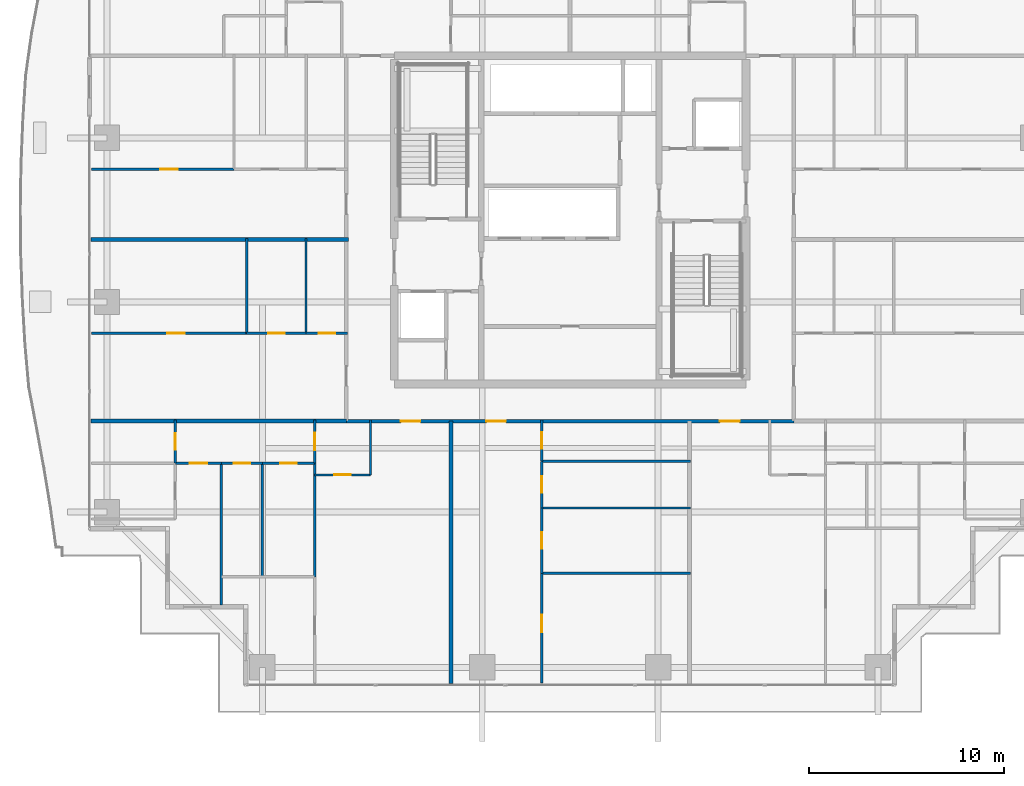
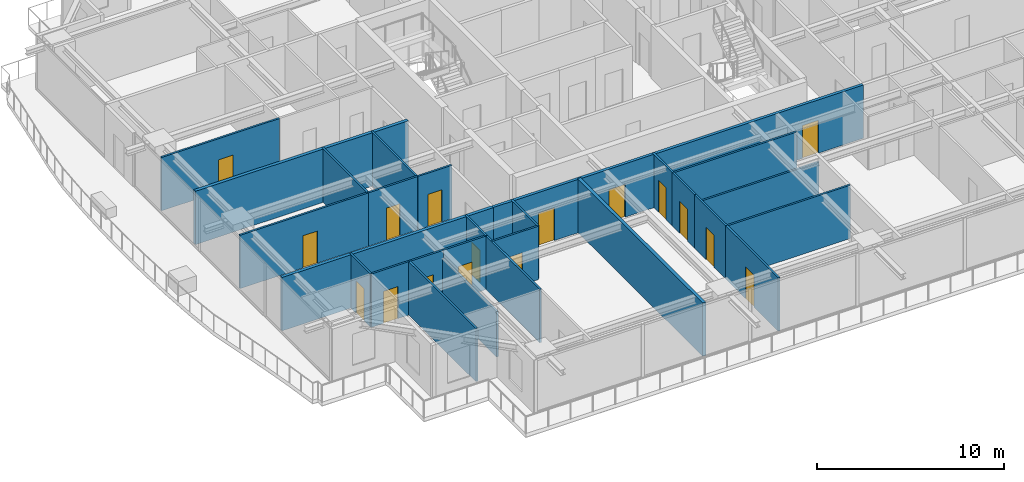
# One storey, part 26 of 37: 27 walls, 17 doors, 17 openings.
"""IFC4 building model written with IfcOpenShell, lengths in metres."""

from ifc_helpers import new_model, si_unit, direction, frame, frame_2d, origin, place, context, subcontext, project, spatial, rectangle, extrude, source, transform, mapped, material, layer, layer_set, type_object, element, fill, save


model = new_model("IFC4")

# Units and contexts
model_context = context("Model", 3, precision=1e-05, world=origin(), true_north=direction((0.0, 1.0)))
body_context = subcontext(model_context, "Body", "Model", "MODEL_VIEW")
ifc_project = project(units=[si_unit("LENGTHUNIT", "METRE"), si_unit("AREAUNIT", "SQUARE_METRE"), si_unit("VOLUMEUNIT", "CUBIC_METRE"), si_unit("PLANEANGLEUNIT", "RADIAN"), si_unit("MASSUNIT", "GRAM", prefix="KILO")], contexts=[model_context])

# Site, building, storey
site_placement = place(None, origin())
site = spatial("IfcSite", under=ifc_project, at=site_placement, CompositionType="ELEMENT")
building_placement = place(site_placement, origin())
building = spatial("IfcBuilding", under=site, at=building_placement, Name="Serunith Strait Residences", CompositionType="ELEMENT")
storey_placement = place(building_placement, frame((0.0, 0.0, 127.64990234375)))
storey = spatial("IfcBuildingStorey", under=building, at=storey_placement, Name="L31", CompositionType="ELEMENT", Elevation=127.64990234375)

# Wall, openings, doors
ifc_material_1 = material(Name="Fire-rated acoustic gypsum partition")
ifc_layer_1 = layer(ifc_material_1, 0.179931640625, Name="Fire-rated acoustic gypsum partition")
ifc_layer_set_1 = layer_set([ifc_layer_1], Name="Fire-rated acoustic gypsum partition")
wall_type_1 = type_object("IfcWallType", Name="IW-CORR-180", PredefinedType="PARTITIONING", material=ifc_layer_set_1)
wall_1_placement = place(storey_placement, frame((20.951904296875, 14.89990234375, 0.0), z_axis=(0.0, 0.0, 1.0), x_axis=(1.0, 0.0, 0.0)))
wall_1 = element("IfcWall", 1, at=wall_1_placement, inside=storey, type_object=wall_type_1, Name="L31 Partition Wall 024", PredefinedType="PARTITIONING", context=body_context, shape_type="SweptSolid", body=[
    extrude(rectangle(XDim=22.89599609375, YDim=0.179931640625, at=frame_2d((11.447998046875, 0.0))), origin(), (0.0, 0.0, 1.0), 3.489990234375),
])
opening_1_placement = place(wall_1_placement, frame((2.781005859375, 0.0, 0.0)))
opening_1 = element("IfcOpeningElement", 2, at=opening_1_placement, cuts=wall_1, Name="Opening D-APT1000", PredefinedType="OPENING", context=body_context, shape_type="SweptSolid", body=[
    extrude(rectangle(XDim=1.0, YDim=2.14990234375, at=frame_2d((0.5, 1.074951171875))), frame((0.0, 0.10009765625, 0.0), z_axis=(0.0, -1.0, 0.0), x_axis=(1.0, 0.0, 0.0)), (0.0, 0.0, 1.0), 0.199951171875),
])
opening_2_placement = place(wall_1_placement, frame((7.159912109375, 0.0, 0.0)))
opening_2 = element("IfcOpeningElement", 3, at=opening_2_placement, cuts=wall_1, Name="Opening D-APT1000", PredefinedType="OPENING", context=body_context, shape_type="SweptSolid", body=[
    extrude(rectangle(XDim=1.0, YDim=2.14990234375, at=frame_2d((0.5, 1.074951171875))), frame((0.0, 0.10009765625, 0.0), z_axis=(0.0, -1.0, 0.0), x_axis=(1.0, 0.0, 0.0)), (0.0, 0.0, 1.0), 0.199951171875),
])
opening_3_placement = place(wall_1_placement, frame((19.114990234375, 0.0, 0.0)))
opening_3 = element("IfcOpeningElement", 4, at=opening_3_placement, cuts=wall_1, Name="Opening D-APT1000", PredefinedType="OPENING", context=body_context, shape_type="SweptSolid", body=[
    extrude(rectangle(XDim=1.0, YDim=2.14990234375, at=frame_2d((0.5, 1.074951171875))), frame((0.0, 0.10009765625, 0.0), z_axis=(0.0, -1.0, 0.0), x_axis=(1.0, 0.0, 0.0)), (0.0, 0.0, 1.0), 0.199951171875),
])
ifc_material_2 = material(Name="Solid timber engineered fire door", Category="wood")
door_type_1 = type_object("IfcDoorType", Name="ID-APT-1000", OperationType="NOTDEFINED", PredefinedType="DOOR", material=ifc_material_2)
shared_shape_1 = source(origin(), body_context, "Body", "SweptSolid", [
    extrude(rectangle(XDim=1.0, YDim=2.14990234375, at=frame_2d((0.5, 1.074951171875))), frame((0.0, 0.02490234375, 0.0), z_axis=(0.0, -1.0, 0.0), x_axis=(1.0, 0.0, 0.0)), (0.0, 0.0, 1.0), 0.050048828125),
])
door_1_placement = place(opening_1_placement, origin())
door_1 = element("IfcDoor", 5, at=door_1_placement, inside=storey, type_object=door_type_1, Name="L31 Unit 01 Entrance Door", OperationType="SINGLE_SWING_RIGHT", OverallHeight=2.14990234375, OverallWidth=1.0, PredefinedType="DOOR", context=body_context, shape_type="MappedRepresentation", body=[
    mapped(shared_shape_1, transform((0.0, 0.0, 0.0), scale=1.0)),
])
fill(opening_1, door_1)
door_2_placement = place(opening_2_placement, origin())
door_2 = element("IfcDoor", 6, at=door_2_placement, inside=storey, type_object=door_type_1, Name="L31 Unit 02 Entrance Door", OperationType="SINGLE_SWING_LEFT", OverallHeight=2.14990234375, OverallWidth=1.0, PredefinedType="DOOR", context=body_context, shape_type="MappedRepresentation", body=[
    mapped(shared_shape_1, transform((0.0, 0.0, 0.0), scale=1.0)),
])
fill(opening_2, door_2)
door_3_placement = place(opening_3_placement, origin())
door_3 = element("IfcDoor", 7, at=door_3_placement, inside=storey, type_object=door_type_1, Name="L31 Unit 03 Entrance Door", OperationType="SINGLE_SWING_RIGHT", OverallHeight=2.14990234375, OverallWidth=1.0, PredefinedType="DOOR", context=body_context, shape_type="MappedRepresentation", body=[
    mapped(shared_shape_1, transform((0.0, 0.0, 0.0), scale=1.0)),
])
fill(opening_3, door_3)

# Wall, opening, door
ifc_material_3 = material(Name="Lightweight steel-stud gypsum partition", Category="steel")
ifc_layer_2 = layer(ifc_material_3, 0.1201171875, Name="Lightweight steel-stud gypsum partition")
ifc_layer_set_2 = layer_set([ifc_layer_2], Name="Lightweight steel-stud gypsum partition")
wall_type_2 = type_object("IfcWallType", Name="IW-PART-120", PredefinedType="PARTITIONING", material=ifc_layer_set_2)
wall_2_placement = place(storey_placement, frame((19.330078125, 12.14990234375, 0.0), z_axis=(0.0, 0.0, 1.0), x_axis=(1.0, 0.0, 0.0)))
wall_2 = element("IfcWall", 8, at=wall_2_placement, inside=storey, type_object=wall_type_2, Name="L31 Partition Wall 029", PredefinedType="PARTITIONING", context=body_context, shape_type="SweptSolid", body=[
    extrude(rectangle(XDim=2.849853515625, YDim=0.1201171875, at=frame_2d((1.4248046875, 0.0))), origin(), (0.0, 0.0, 1.0), 3.489990234375),
])
opening_4_placement = place(wall_2_placement, frame((1.0, 0.0, 0.0)))
opening_4 = element("IfcOpeningElement", 9, at=opening_4_placement, cuts=wall_2, Name="Opening D-RM850", PredefinedType="OPENING", context=body_context, shape_type="SweptSolid", body=[
    extrude(rectangle(XDim=0.85009765625, YDim=2.10009765625, at=frame_2d((0.425048828125, 1.050048828125))), frame((0.0, 0.070068359375, 0.0), z_axis=(0.0, -1.0, 0.0), x_axis=(1.0, 0.0, 0.0)), (0.0, 0.0, 1.0), 0.14013671875),
])
ifc_material_4 = material(Name="Engineered timber flush study and kitchen door", Category="wood")
door_type_2 = type_object("IfcDoorType", Name="ID-ROOM-850", OperationType="NOTDEFINED", PredefinedType="DOOR", material=ifc_material_4)
shared_shape_2 = source(origin(), body_context, "Body", "SweptSolid", [
    extrude(rectangle(XDim=0.85009765625, YDim=2.10009765625, at=frame_2d((0.425048828125, 1.050048828125))), frame((0.0, 0.02490234375, 0.0), z_axis=(0.0, -1.0, 0.0), x_axis=(1.0, 0.0, 0.0)), (0.0, 0.0, 1.0), 0.050048828125),
])
door_4_placement = place(opening_4_placement, origin())
door_4 = element("IfcDoor", 10, at=door_4_placement, inside=storey, type_object=door_type_2, Name="L31 Kitchen 3101 Door", OperationType="SINGLE_SWING_LEFT", OverallHeight=2.10009765625, OverallWidth=0.85009765625, PredefinedType="DOOR", context=body_context, shape_type="MappedRepresentation", body=[
    mapped(shared_shape_2, transform((0.0, 0.0, 0.0), scale=1.0)),
])
fill(opening_4, door_4)

# Wall
wall_3_placement = place(storey_placement, frame((22.179931640625, 12.14990234375, 0.0), z_axis=(0.0, 0.0, 1.0), x_axis=(0.0, 1.0, 0.0)))
element("IfcWall", 11, at=wall_3_placement, inside=storey, type_object=wall_type_2, Name="L31 Partition Wall 030", PredefinedType="PARTITIONING", context=body_context, shape_type="SweptSolid", body=[
    extrude(rectangle(XDim=2.81005859375, YDim=0.1201171875, at=frame_2d((1.405029296875, 0.0))), origin(), (0.0, 0.0, 1.0), 3.489990234375),
])

# Wall, opening, door
wall_4_placement = place(storey_placement, frame((19.330078125, 12.75, 0.0), z_axis=(0.0, 0.0, 1.0), x_axis=(0.0, 1.0, 0.0)))
wall_4 = element("IfcWall", 12, at=wall_4_placement, inside=storey, type_object=wall_type_2, Name="L31 Partition Wall 031", PredefinedType="PARTITIONING", context=body_context, shape_type="SweptSolid", body=[
    extrude(rectangle(XDim=2.2099609375, YDim=0.1201171875, at=frame_2d((1.10498046875, 0.0))), origin(), (0.0, 0.0, 1.0), 3.489990234375),
])
opening_5_placement = place(wall_4_placement, frame((0.655029296875, 0.0, 0.0)))
opening_5 = element("IfcOpeningElement", 13, at=opening_5_placement, cuts=wall_4, Name="Opening D-RM900", PredefinedType="OPENING", context=body_context, shape_type="SweptSolid", body=[
    extrude(rectangle(XDim=0.89990234375, YDim=2.10009765625, at=frame_2d((0.449951171875, 1.050048828125))), frame((0.0, 0.070068359375, 0.0), z_axis=(0.0, -1.0, 0.0), x_axis=(1.0, 0.0, 0.0)), (0.0, 0.0, 1.0), 0.14013671875),
])
ifc_material_5 = material(Name="Engineered timber flush bedroom door", Category="wood")
door_type_3 = type_object("IfcDoorType", Name="ID-ROOM-900", OperationType="NOTDEFINED", PredefinedType="DOOR", material=ifc_material_5)
shared_shape_3 = source(origin(), body_context, "Body", "SweptSolid", [
    extrude(rectangle(XDim=0.89990234375, YDim=2.10009765625, at=frame_2d((0.449951171875, 1.050048828125))), frame((0.0, 0.02490234375, 0.0), z_axis=(0.0, -1.0, 0.0), x_axis=(1.0, 0.0, 0.0)), (0.0, 0.0, 1.0), 0.050048828125),
])
door_5_placement = place(opening_5_placement, origin())
door_5 = element("IfcDoor", 14, at=door_5_placement, inside=storey, type_object=door_type_3, Name="L31 Hall W 3101 Door", OperationType="SINGLE_SWING_RIGHT", OverallHeight=2.10009765625, OverallWidth=0.89990234375, PredefinedType="DOOR", context=body_context, shape_type="MappedRepresentation", body=[
    mapped(shared_shape_3, transform((0.0, 0.0, 0.0), scale=1.0)),
])
fill(opening_5, door_5)

# Walls
wall_5_placement = place(storey_placement, frame((19.330078125, 6.93994140625, 0.0), z_axis=(0.0, 0.0, 1.0), x_axis=(0.0, 1.0, 0.0)))
element("IfcWall", 15, at=wall_5_placement, inside=storey, type_object=wall_type_2, Name="L31 Partition Wall 033", PredefinedType="PARTITIONING", context=body_context, shape_type="SweptSolid", body=[
    extrude(rectangle(XDim=5.80810546875, YDim=0.1201171875, at=frame_2d((2.904052734375, 0.0))), origin(), (0.0, 0.0, 1.0), 3.489990234375),
])
wall_6_placement = place(storey_placement, frame((14.550048828125, 5.4951171875, 0.0), z_axis=(0.0, 0.0, 1.0), x_axis=(0.0, 1.0, 0.0)))
element("IfcWall", 16, at=wall_6_placement, inside=storey, type_object=wall_type_2, Name="L31 Partition Wall 035", PredefinedType="PARTITIONING", context=body_context, shape_type="SweptSolid", body=[
    extrude(rectangle(XDim=7.2548828125, YDim=0.1201171875, at=frame_2d((3.62744140625, 0.0))), origin(), (0.0, 0.0, 1.0), 3.489990234375),
])
wall_7_placement = place(storey_placement, frame((16.64990234375, 6.93798828125, 0.0), z_axis=(0.0, 0.0, 1.0), x_axis=(0.0, 1.0, 0.0)))
element("IfcWall", 17, at=wall_7_placement, inside=storey, type_object=wall_type_2, Name="L31 Partition Wall 036", PredefinedType="PARTITIONING", context=body_context, shape_type="SweptSolid", body=[
    extrude(rectangle(XDim=5.81201171875, YDim=0.1201171875, at=frame_2d((2.906005859375, 0.0))), origin(), (0.0, 0.0, 1.0), 2.97216796875),
])

# Wall, opening, door
wall_8_placement = place(storey_placement, frame((14.550048828125, 12.75, 0.0), z_axis=(0.0, 0.0, 1.0), x_axis=(1.0, 0.0, 0.0)))
wall_8 = element("IfcWall", 18, at=wall_8_placement, inside=storey, type_object=wall_type_2, Name="L31 Partition Wall 037", PredefinedType="PARTITIONING", context=body_context, shape_type="SweptSolid", body=[
    extrude(rectangle(XDim=2.099853515625, YDim=0.1201171875, at=frame_2d((1.0498046875, 0.0))), origin(), (0.0, 0.0, 1.0), 3.489990234375),
])
opening_6_placement = place(wall_8_placement, frame((0.625, 0.0, 0.0)))
opening_6 = element("IfcOpeningElement", 19, at=opening_6_placement, cuts=wall_8, Name="Opening D-BTH850", PredefinedType="OPENING", context=body_context, shape_type="SweptSolid", body=[
    extrude(rectangle(XDim=0.85009765625, YDim=2.10009765625, at=frame_2d((0.425048828125, 1.050048828125))), frame((0.0, 0.070068359375, 0.0), z_axis=(0.0, -1.0, 0.0), x_axis=(1.0, 0.0, 0.0)), (0.0, 0.0, 1.0), 0.14013671875),
])
ifc_material_6 = material(Name="Moisture-resistant timber bathroom door", Category="wood")
door_type_4 = type_object("IfcDoorType", Name="ID-BATH-850", OperationType="NOTDEFINED", PredefinedType="DOOR", material=ifc_material_6)
door_6_placement = place(opening_6_placement, origin())
door_6 = element("IfcDoor", 20, at=door_6_placement, inside=storey, type_object=door_type_4, Name="L31 Bathroom 3101 Door", OperationType="SINGLE_SWING_RIGHT", OverallHeight=2.10009765625, OverallWidth=0.85009765625, PredefinedType="DOOR", context=body_context, shape_type="MappedRepresentation", body=[
    mapped(shared_shape_2, transform((0.0, 0.0, 0.0), scale=1.0)),
])
fill(opening_6, door_6)

wall_9_placement = place(storey_placement, frame((16.652099609375, 12.75, 0.0), z_axis=(0.0, 0.0, 1.0), x_axis=(1.0, 0.0, 0.0)))
wall_9 = element("IfcWall", 21, at=wall_9_placement, inside=storey, type_object=wall_type_2, Name="L31 Partition Wall 038", PredefinedType="PARTITIONING", context=body_context, shape_type="SweptSolid", body=[
    extrude(rectangle(XDim=2.677978515625, YDim=0.1201171875, at=frame_2d((1.3388671875, 0.0))), origin(), (0.0, 0.0, 1.0), 3.489990234375),
])
opening_7_placement = place(wall_9_placement, frame((0.9140625, 0.0, 0.0)))
opening_7 = element("IfcOpeningElement", 22, at=opening_7_placement, cuts=wall_9, Name="Opening D-RM850", PredefinedType="OPENING", context=body_context, shape_type="SweptSolid", body=[
    extrude(rectangle(XDim=0.85009765625, YDim=2.10009765625, at=frame_2d((0.425048828125, 1.050048828125))), frame((0.0, 0.070068359375, 0.0), z_axis=(0.0, -1.0, 0.0), x_axis=(1.0, 0.0, 0.0)), (0.0, 0.0, 1.0), 0.14013671875),
])
door_7_placement = place(opening_7_placement, origin())
door_7 = element("IfcDoor", 23, at=door_7_placement, inside=storey, type_object=door_type_2, Name="L31 Study 3101 Door", OperationType="SINGLE_SWING_LEFT", OverallHeight=2.10009765625, OverallWidth=0.85009765625, PredefinedType="DOOR", context=body_context, shape_type="MappedRepresentation", body=[
    mapped(shared_shape_2, transform((0.0, 0.0, 0.0), scale=1.0)),
])
fill(opening_7, door_7)

wall_10_placement = place(storey_placement, frame((12.199951171875, 12.75, 0.0), z_axis=(0.0, 0.0, 1.0), x_axis=(1.0, 0.0, 0.0)))
wall_10 = element("IfcWall", 24, at=wall_10_placement, inside=storey, type_object=wall_type_2, Name="L31 Partition Wall 039", PredefinedType="PARTITIONING", context=body_context, shape_type="SweptSolid", body=[
    extrude(rectangle(XDim=2.34814453125, YDim=0.1201171875, at=frame_2d((1.174072265625, 0.0))), origin(), (0.0, 0.0, 1.0), 3.489990234375),
])
opening_8_placement = place(wall_10_placement, frame((0.72412109375, 0.0, 0.0)))
opening_8 = element("IfcOpeningElement", 25, at=opening_8_placement, cuts=wall_10, Name="Opening D-RM900", PredefinedType="OPENING", context=body_context, shape_type="SweptSolid", body=[
    extrude(rectangle(XDim=0.89990234375, YDim=2.10009765625, at=frame_2d((0.449951171875, 1.050048828125))), frame((0.0, 0.070068359375, 0.0), z_axis=(0.0, -1.0, 0.0), x_axis=(1.0, 0.0, 0.0)), (0.0, 0.0, 1.0), 0.14013671875),
])
door_8_placement = place(opening_8_placement, origin())
door_8 = element("IfcDoor", 26, at=door_8_placement, inside=storey, type_object=door_type_3, Name="L31 Master Bedroom W 3101 Door", OperationType="SINGLE_SWING_RIGHT", OverallHeight=2.10009765625, OverallWidth=0.89990234375, PredefinedType="DOOR", context=body_context, shape_type="MappedRepresentation", body=[
    mapped(shared_shape_3, transform((0.0, 0.0, 0.0), scale=1.0)),
])
fill(opening_8, door_8)

wall_11_placement = place(storey_placement, frame((12.199951171875, 12.751953125, 0.0), z_axis=(0.0, 0.0, 1.0), x_axis=(0.0, 1.0, 0.0)))
wall_11 = element("IfcWall", 27, at=wall_11_placement, inside=storey, type_object=wall_type_2, Name="L31 Partition Wall 043", PredefinedType="PARTITIONING", context=body_context, shape_type="SweptSolid", body=[
    extrude(rectangle(XDim=2.2080078125, YDim=0.1201171875, at=frame_2d((1.10400390625, 0.0))), origin(), (0.0, 0.0, 1.0), 3.489990234375),
])
opening_9_placement = place(wall_11_placement, frame((0.678955078125, 0.0, 0.0)))
opening_9 = element("IfcOpeningElement", 28, at=opening_9_placement, cuts=wall_11, Name="Opening D-RM850", PredefinedType="OPENING", context=body_context, shape_type="SweptSolid", body=[
    extrude(rectangle(XDim=0.85009765625, YDim=2.10009765625, at=frame_2d((0.425048828125, 1.050048828125))), frame((0.0, 0.070068359375, 0.0), z_axis=(0.0, -1.0, 0.0), x_axis=(1.0, 0.0, 0.0)), (0.0, 0.0, 1.0), 0.14013671875),
])
door_9_placement = place(opening_9_placement, origin())
door_9 = element("IfcDoor", 29, at=door_9_placement, inside=storey, type_object=door_type_2, Name="L31 Wardrobe W 3101 Door", OperationType="SINGLE_SWING_RIGHT", OverallHeight=2.10009765625, OverallWidth=0.85009765625, PredefinedType="DOOR", context=body_context, shape_type="MappedRepresentation", body=[
    mapped(shared_shape_2, transform((0.0, 0.0, 0.0), scale=1.0)),
])
fill(opening_9, door_9)

wall_12_placement = place(storey_placement, frame((30.93994140625, 1.4951171875, 0.0), z_axis=(0.0, 0.0, 1.0), x_axis=(0.0, 1.0, 0.0)))
wall_12 = element("IfcWall", 30, at=wall_12_placement, inside=storey, type_object=wall_type_2, Name="L31 Partition Wall 044", PredefinedType="PARTITIONING", context=body_context, shape_type="SweptSolid", body=[
    extrude(rectangle(XDim=5.617919921875, YDim=0.1201171875, at=frame_2d((2.80908203125, 0.0))), origin(), (0.0, 0.0, 1.0), 3.489990234375),
])
opening_10_placement = place(wall_12_placement, frame((2.594970703125, 0.0, 0.0)))
opening_10 = element("IfcOpeningElement", 31, at=opening_10_placement, cuts=wall_12, Name="Opening D-RM900", PredefinedType="OPENING", context=body_context, shape_type="SweptSolid", body=[
    extrude(rectangle(XDim=0.89990234375, YDim=2.10009765625, at=frame_2d((0.449951171875, 1.050048828125))), frame((0.0, 0.070068359375, 0.0), z_axis=(0.0, -1.0, 0.0), x_axis=(1.0, 0.0, 0.0)), (0.0, 0.0, 1.0), 0.14013671875),
])
door_10_placement = place(opening_10_placement, origin())
door_10 = element("IfcDoor", 32, at=door_10_placement, inside=storey, type_object=door_type_3, Name="L31 Master Bedroom 1 3102 Door", OperationType="SINGLE_SWING_LEFT", OverallHeight=2.10009765625, OverallWidth=0.89990234375, PredefinedType="DOOR", context=body_context, shape_type="MappedRepresentation", body=[
    mapped(shared_shape_3, transform((0.0, 0.0, 0.0), scale=1.0)),
])
fill(opening_10, door_10)

# Walls
wall_13_placement = place(storey_placement, frame((30.93994140625, 7.113037109375, 0.0), z_axis=(0.0, 0.0, 1.0), x_axis=(1.0, 0.0, 0.0)))
element("IfcWall", 33, at=wall_13_placement, inside=storey, type_object=wall_type_2, Name="L31 Partition Wall 045", PredefinedType="PARTITIONING", context=body_context, shape_type="SweptSolid", body=[
    extrude(rectangle(XDim=7.6201171875, YDim=0.1201171875, at=frame_2d((3.81005859375, 0.0))), origin(), (0.0, 0.0, 1.0), 3.489990234375),
])
wall_14_placement = place(storey_placement, frame((30.93994140625, 10.4560546875, 0.0), z_axis=(0.0, 0.0, 1.0), x_axis=(1.0, 0.0, 0.0)))
element("IfcWall", 34, at=wall_14_placement, inside=storey, type_object=wall_type_2, Name="L31 Partition Wall 046", PredefinedType="PARTITIONING", context=body_context, shape_type="SweptSolid", body=[
    extrude(rectangle(XDim=7.6201171875, YDim=0.1201171875, at=frame_2d((3.81005859375, 0.0))), origin(), (0.0, 0.0, 1.0), 2.97216796875),
])
wall_15_placement = place(storey_placement, frame((30.93994140625, 12.85009765625, 0.0), z_axis=(0.0, 0.0, 1.0), x_axis=(1.0, 0.0, 0.0)))
element("IfcWall", 35, at=wall_15_placement, inside=storey, type_object=wall_type_2, Name="L31 Partition Wall 047", PredefinedType="PARTITIONING", context=body_context, shape_type="SweptSolid", body=[
    extrude(rectangle(XDim=7.6201171875, YDim=0.1201171875, at=frame_2d((3.81005859375, 0.0))), origin(), (0.0, 0.0, 1.0), 3.489990234375),
])

# Wall, opening, door
wall_16_placement = place(storey_placement, frame((30.93994140625, 7.114990234375, 0.0), z_axis=(0.0, 0.0, 1.0), x_axis=(0.0, 1.0, 0.0)))
wall_16 = element("IfcWall", 36, at=wall_16_placement, inside=storey, type_object=wall_type_2, Name="L31 Partition Wall 048", PredefinedType="PARTITIONING", context=body_context, shape_type="SweptSolid", body=[
    extrude(rectangle(XDim=3.341064453125, YDim=0.1201171875, at=frame_2d((1.67041015625, 0.0))), origin(), (0.0, 0.0, 1.0), 3.489990234375),
])
opening_11_placement = place(wall_16_placement, frame((1.2451171875, 0.0, 0.0)))
opening_11 = element("IfcOpeningElement", 37, at=opening_11_placement, cuts=wall_16, Name="Opening D-RM850", PredefinedType="OPENING", context=body_context, shape_type="SweptSolid", body=[
    extrude(rectangle(XDim=0.85009765625, YDim=2.10009765625, at=frame_2d((0.425048828125, 1.050048828125))), frame((0.0, 0.070068359375, 0.0), z_axis=(0.0, -1.0, 0.0), x_axis=(1.0, 0.0, 0.0)), (0.0, 0.0, 1.0), 0.14013671875),
])
door_11_placement = place(opening_11_placement, origin())
door_11 = element("IfcDoor", 38, at=door_11_placement, inside=storey, type_object=door_type_2, Name="L31 Dining 3102 Door", OperationType="SINGLE_SWING_RIGHT", OverallHeight=2.10009765625, OverallWidth=0.85009765625, PredefinedType="DOOR", context=body_context, shape_type="MappedRepresentation", body=[
    mapped(shared_shape_2, transform((0.0, 0.0, 0.0), scale=1.0)),
])
fill(opening_11, door_11)

wall_17_placement = place(storey_placement, frame((30.93994140625, 10.4580078125, 0.0), z_axis=(0.0, 0.0, 1.0), x_axis=(0.0, 1.0, 0.0)))
wall_17 = element("IfcWall", 39, at=wall_17_placement, inside=storey, type_object=wall_type_2, Name="L31 Partition Wall 049", PredefinedType="PARTITIONING", context=body_context, shape_type="SweptSolid", body=[
    extrude(rectangle(XDim=2.39208984375, YDim=0.1201171875, at=frame_2d((1.196044921875, 0.0))), origin(), (0.0, 0.0, 1.0), 3.489990234375),
])
opening_12_placement = place(wall_17_placement, frame((0.77099609375, 0.0, 0.0)))
opening_12 = element("IfcOpeningElement", 40, at=opening_12_placement, cuts=wall_17, Name="Opening D-RM850", PredefinedType="OPENING", context=body_context, shape_type="SweptSolid", body=[
    extrude(rectangle(XDim=0.85009765625, YDim=2.10009765625, at=frame_2d((0.425048828125, 1.050048828125))), frame((0.0, 0.070068359375, 0.0), z_axis=(0.0, -1.0, 0.0), x_axis=(1.0, 0.0, 0.0)), (0.0, 0.0, 1.0), 0.14013671875),
])
door_12_placement = place(opening_12_placement, origin())
door_12 = element("IfcDoor", 41, at=door_12_placement, inside=storey, type_object=door_type_2, Name="L31 Kitchen 3102 Door", OperationType="SINGLE_SWING_LEFT", OverallHeight=2.10009765625, OverallWidth=0.85009765625, PredefinedType="DOOR", context=body_context, shape_type="MappedRepresentation", body=[
    mapped(shared_shape_2, transform((0.0, 0.0, 0.0), scale=1.0)),
])
fill(opening_12, door_12)

wall_18_placement = place(storey_placement, frame((30.93994140625, 12.85205078125, 0.0), z_axis=(0.0, 0.0, 1.0), x_axis=(0.0, 1.0, 0.0)))
wall_18 = element("IfcWall", 42, at=wall_18_placement, inside=storey, type_object=wall_type_2, Name="L31 Partition Wall 050", PredefinedType="PARTITIONING", context=body_context, shape_type="SweptSolid", body=[
    extrude(rectangle(XDim=2.10791015625, YDim=0.1201171875, at=frame_2d((1.053955078125, 0.0))), origin(), (0.0, 0.0, 1.0), 3.489990234375),
])
opening_13_placement = place(wall_18_placement, frame((0.62890625, 0.0, 0.0)))
opening_13 = element("IfcOpeningElement", 43, at=opening_13_placement, cuts=wall_18, Name="Opening D-BTH850", PredefinedType="OPENING", context=body_context, shape_type="SweptSolid", body=[
    extrude(rectangle(XDim=0.85009765625, YDim=2.10009765625, at=frame_2d((0.425048828125, 1.050048828125))), frame((0.0, 0.070068359375, 0.0), z_axis=(0.0, -1.0, 0.0), x_axis=(1.0, 0.0, 0.0)), (0.0, 0.0, 1.0), 0.14013671875),
])
door_13_placement = place(opening_13_placement, origin())
door_13 = element("IfcDoor", 44, at=door_13_placement, inside=storey, type_object=door_type_4, Name="L31 Bathroom 3102 Door", OperationType="SINGLE_SWING_RIGHT", OverallHeight=2.10009765625, OverallWidth=0.85009765625, PredefinedType="DOOR", context=body_context, shape_type="MappedRepresentation", body=[
    mapped(shared_shape_2, transform((0.0, 0.0, 0.0), scale=1.0)),
])
fill(opening_13, door_13)

wall_19_placement = place(storey_placement, frame((7.89501953125, 19.39990234375, 0.0), z_axis=(0.0, 0.0, 1.0), x_axis=(1.0, 0.0, 0.0)))
wall_19 = element("IfcWall", 45, at=wall_19_placement, inside=storey, type_object=wall_type_2, Name="L31 Partition Wall 092", PredefinedType="PARTITIONING", context=body_context, shape_type="SweptSolid", body=[
    extrude(rectangle(XDim=7.950927734375, YDim=0.1201171875, at=frame_2d((3.9755859375, 0.0))), origin(), (0.0, 0.0, 1.0), 3.489990234375),
])
opening_14_placement = place(wall_19_placement, frame((3.8779296875, 0.0, 0.0)))
opening_14 = element("IfcOpeningElement", 46, at=opening_14_placement, cuts=wall_19, Name="Opening D-RM900", PredefinedType="OPENING", context=body_context, shape_type="SweptSolid", body=[
    extrude(rectangle(XDim=0.89990234375, YDim=2.10009765625, at=frame_2d((0.449951171875, 1.050048828125))), frame((0.0, 0.070068359375, 0.0), z_axis=(0.0, -1.0, 0.0), x_axis=(1.0, 0.0, 0.0)), (0.0, 0.0, 1.0), 0.14013671875),
])
door_14_placement = place(opening_14_placement, origin())
door_14 = element("IfcDoor", 47, at=door_14_placement, inside=storey, type_object=door_type_3, Name="L31 Master Bedroom 1 3106 Door", OperationType="SINGLE_SWING_LEFT", OverallHeight=2.10009765625, OverallWidth=0.89990234375, PredefinedType="DOOR", context=body_context, shape_type="MappedRepresentation", body=[
    mapped(shared_shape_3, transform((0.0, 0.0, 0.0), scale=1.0)),
])
fill(opening_14, door_14)

# Walls
for number, where, z_axis, x_axis, name in (
    (48, (15.845947265625, 19.39990234375, 0.0), (0.0, 0.0, 1.0), (0.0, 1.0, 0.0), "L31 Partition Wall 093"),
    (49, (18.886962890625, 19.39990234375, 0.0), (0.0, 0.0, 1.0), (0.0, 1.0, 0.0), "L31 Partition Wall 094"),
):
    element("IfcWall", number, at=place(storey_placement, frame(where, z_axis=z_axis, x_axis=x_axis)), inside=storey, type_object=wall_type_2, Name=name, PredefinedType="PARTITIONING", context=body_context, shape_type="SweptSolid", body=[
        extrude(rectangle(XDim=4.860107421875, YDim=0.1201171875, at=frame_2d((2.43017578125, 0.0))), origin(), (0.0, 0.0, 1.0), 3.489990234375),
    ])

# Wall, opening, door
wall_20_placement = place(storey_placement, frame((15.847900390625, 19.39990234375, 0.0), z_axis=(0.0, 0.0, 1.0), x_axis=(1.0, 0.0, 0.0)))
wall_20 = element("IfcWall", 50, at=wall_20_placement, inside=storey, type_object=wall_type_2, Name="L31 Partition Wall 095", PredefinedType="PARTITIONING", context=body_context, shape_type="SweptSolid", body=[
    extrude(rectangle(XDim=3.0390625, YDim=0.1201171875, at=frame_2d((1.51953125, 0.0))), origin(), (0.0, 0.0, 1.0), 3.489990234375),
])
opening_15_placement = place(wall_20_placement, frame((1.093994140625, 0.0, 0.0)))
opening_15 = element("IfcOpeningElement", 51, at=opening_15_placement, cuts=wall_20, Name="Opening D-RM850", PredefinedType="OPENING", context=body_context, shape_type="SweptSolid", body=[
    extrude(rectangle(XDim=0.85009765625, YDim=2.10009765625, at=frame_2d((0.425048828125, 1.050048828125))), frame((0.0, 0.070068359375, 0.0), z_axis=(0.0, -1.0, 0.0), x_axis=(1.0, 0.0, 0.0)), (0.0, 0.0, 1.0), 0.14013671875),
])
door_15_placement = place(opening_15_placement, origin())
door_15 = element("IfcDoor", 52, at=door_15_placement, inside=storey, type_object=door_type_2, Name="L31 Kitchen 3106 Door", OperationType="SINGLE_SWING_RIGHT", OverallHeight=2.10009765625, OverallWidth=0.85009765625, PredefinedType="DOOR", context=body_context, shape_type="MappedRepresentation", body=[
    mapped(shared_shape_2, transform((0.0, 0.0, 0.0), scale=1.0)),
])
fill(opening_15, door_15)

wall_21_placement = place(storey_placement, frame((18.888916015625, 19.39990234375, 0.0), z_axis=(0.0, 0.0, 1.0), x_axis=(1.0, 0.0, 0.0)))
wall_21 = element("IfcWall", 53, at=wall_21_placement, inside=storey, type_object=wall_type_2, Name="L31 Partition Wall 096", PredefinedType="PARTITIONING", context=body_context, shape_type="SweptSolid", body=[
    extrude(rectangle(XDim=2.12109375, YDim=0.1201171875, at=frame_2d((1.060546875, 0.0))), origin(), (0.0, 0.0, 1.0), 3.489990234375),
])
opening_16_placement = place(wall_21_placement, frame((0.635986328125, 0.0, 0.0)))
opening_16 = element("IfcOpeningElement", 54, at=opening_16_placement, cuts=wall_21, Name="Opening D-BTH850", PredefinedType="OPENING", context=body_context, shape_type="SweptSolid", body=[
    extrude(rectangle(XDim=0.85009765625, YDim=2.10009765625, at=frame_2d((0.425048828125, 1.050048828125))), frame((0.0, 0.070068359375, 0.0), z_axis=(0.0, -1.0, 0.0), x_axis=(1.0, 0.0, 0.0)), (0.0, 0.0, 1.0), 0.14013671875),
])
door_16_placement = place(opening_16_placement, origin())
door_16 = element("IfcDoor", 55, at=door_16_placement, inside=storey, type_object=door_type_4, Name="L31 Bathroom 3106 Door", OperationType="SINGLE_SWING_LEFT", OverallHeight=2.10009765625, OverallWidth=0.85009765625, PredefinedType="DOOR", context=body_context, shape_type="MappedRepresentation", body=[
    mapped(shared_shape_2, transform((0.0, 0.0, 0.0), scale=1.0)),
])
fill(opening_16, door_16)

wall_22_placement = place(storey_placement, frame((7.89501953125, 27.800048828125, 0.0), z_axis=(0.0, 0.0, 1.0), x_axis=(1.0, 0.0, 0.0)))
wall_22 = element("IfcWall", 56, at=wall_22_placement, inside=storey, type_object=wall_type_2, Name="L31 Partition Wall 097", PredefinedType="PARTITIONING", context=body_context, shape_type="SweptSolid", body=[
    extrude(rectangle(XDim=7.302978515625, YDim=0.1201171875, at=frame_2d((3.6513671875, 0.0))), origin(), (0.0, 0.0, 1.0), 3.489990234375),
])
opening_17_placement = place(wall_22_placement, frame((3.52197265625, 0.0, 0.0)))
opening_17 = element("IfcOpeningElement", 57, at=opening_17_placement, cuts=wall_22, Name="Opening D-RM900", PredefinedType="OPENING", context=body_context, shape_type="SweptSolid", body=[
    extrude(rectangle(XDim=0.89990234375, YDim=2.10009765625, at=frame_2d((0.449951171875, 1.050048828125))), frame((0.0, 0.070068359375, 0.0), z_axis=(0.0, -1.0, 0.0), x_axis=(1.0, 0.0, 0.0)), (0.0, 0.0, 1.0), 0.14013671875),
])
door_17_placement = place(opening_17_placement, origin())
door_17 = element("IfcDoor", 58, at=door_17_placement, inside=storey, type_object=door_type_3, Name="L31 Master Bedroom 1 3107 Door", OperationType="SINGLE_SWING_RIGHT", OverallHeight=2.10009765625, OverallWidth=0.89990234375, PredefinedType="DOOR", context=body_context, shape_type="MappedRepresentation", body=[
    mapped(shared_shape_3, transform((0.0, 0.0, 0.0), scale=1.0)),
])
fill(opening_17, door_17)

# Walls
ifc_material_7 = material(Name="Twin-stud acoustic gypsum board partition")
ifc_layer_3 = layer(ifc_material_7, 0.199951171875, Name="Twin-stud acoustic gypsum board partition")
ifc_layer_set_3 = layer_set([ifc_layer_3], Name="Twin-stud acoustic gypsum board partition")
wall_type_3 = type_object("IfcWallType", Name="IW-PARTY-200", PredefinedType="PARTITIONING", material=ifc_layer_set_3)
wall_23_placement = place(storey_placement, frame((26.300048828125, 1.48193359375, 0.0), z_axis=(0.0, 0.0, 1.0), x_axis=(0.0, 1.0, 0.0)))
element("IfcWall", 59, at=wall_23_placement, inside=storey, type_object=wall_type_3, Name="L31 Partition Wall 015", PredefinedType="PARTITIONING", context=body_context, shape_type="SweptSolid", body=[
    extrude(rectangle(XDim=13.41796875, YDim=0.199951171875, at=frame_2d((6.708984375, 0.0))), origin(), (0.0, 0.0, 1.0), 3.489990234375),
])
wall_24_placement = place(storey_placement, frame((7.882080078125, 24.199951171875, 0.0), z_axis=(0.0, 0.0, 1.0), x_axis=(1.0, 0.0, 0.0)))
element("IfcWall", 60, at=wall_24_placement, inside=storey, type_object=wall_type_3, Name="L31 Partition Wall 018", PredefinedType="PARTITIONING", context=body_context, shape_type="SweptSolid", body=[
    extrude(rectangle(XDim=13.18798828125, YDim=0.199951171875, at=frame_2d((6.593994140625, 0.0))), origin(), (0.0, 0.0, 1.0), 3.489990234375),
])
wall_25_placement = place(storey_placement, frame((7.882080078125, 14.89990234375, 0.0), z_axis=(0.0, 0.0, 1.0), x_axis=(1.0, 0.0, 0.0)))
element("IfcWall", 61, at=wall_25_placement, inside=storey, type_object=wall_type_3, Name="L31 Partition Wall 020", PredefinedType="PARTITIONING", context=body_context, shape_type="SweptSolid", body=[
    extrude(rectangle(XDim=13.06787109375, YDim=0.199951171875, at=frame_2d((6.533935546875, 0.0))), origin(), (0.0, 0.0, 1.0), 3.489990234375),
])

save(model, "model.ifc")
